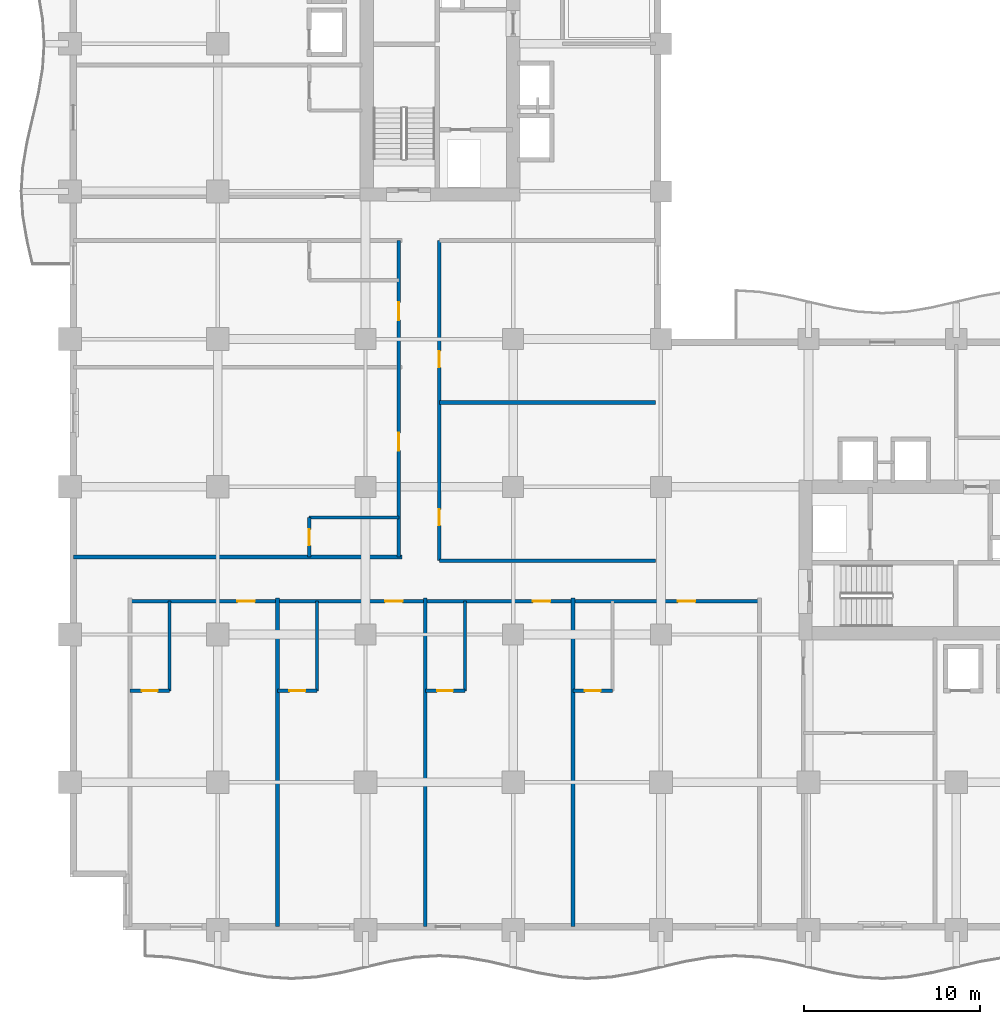
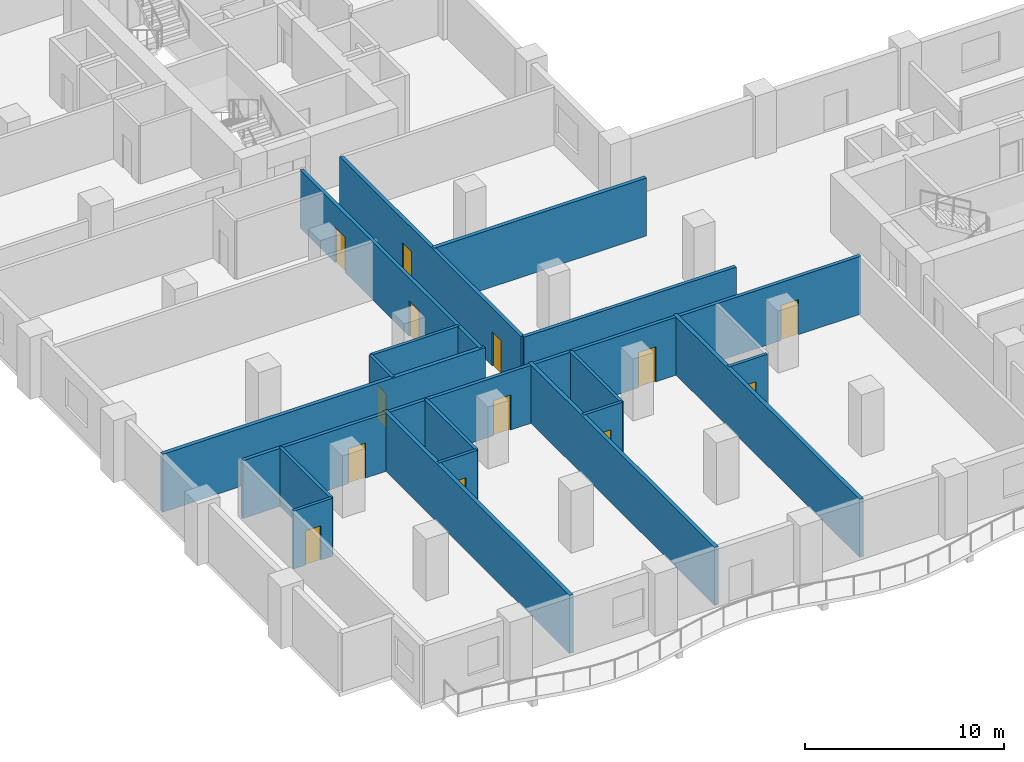
# One storey, part 9 of 24: 18 walls, 13 doors, 13 openings.
"""IFC4 building model written with IfcOpenShell, lengths in metres."""

from ifc_helpers import new_model, si_unit, direction, frame, frame_2d, origin, place, context, subcontext, project, spatial, rectangle, extrude, material, layer, layer_set, type_object, element, fill, save


model = new_model("IFC4")

# Units and contexts
model_context = context("Model", 3, precision=1e-05, world=origin(), true_north=direction((0.0, 1.0)))
body_context = subcontext(model_context, "Body", "Model", "MODEL_VIEW")
ifc_project = project(units=[si_unit("LENGTHUNIT", "METRE"), si_unit("AREAUNIT", "SQUARE_METRE"), si_unit("VOLUMEUNIT", "CUBIC_METRE"), si_unit("PLANEANGLEUNIT", "RADIAN"), si_unit("MASSUNIT", "GRAM", prefix="KILO")], contexts=[model_context])

# Site, building, storey
site_placement = place(None, origin())
site = spatial("IfcSite", under=ifc_project, at=site_placement, CompositionType="ELEMENT")
building_placement = place(site_placement, origin())
building = spatial("IfcBuilding", under=site, at=building_placement, Name="Koriwani Terraces Tower", CompositionType="ELEMENT")
storey_placement = place(building_placement, frame((0.0, 0.0, 103.800048828125)))
storey = spatial("IfcBuildingStorey", under=building, at=storey_placement, Name="L24", CompositionType="ELEMENT", Elevation=103.800048828125)

# Wall, openings, doors
ifc_material_1 = material(Name="Autoclaved Cellular Concrete Blockwork", Category="masonry")
ifc_layer_1 = layer(ifc_material_1, 0.199951171875, Name="Autoclaved Cellular Concrete Blockwork")
ifc_layer_set_1 = layer_set([ifc_layer_1], Name="Autoclaved Cellular Concrete Blockwork")
wall_type_1 = type_object("IfcWallType", Name="WALL_CORRIDOR_200", PredefinedType="PARTITIONING", material=ifc_layer_set_1)
wall_1_placement = place(storey_placement, frame((21.0, 21.0, 0.0), z_axis=(0.0, 0.0, 1.0), x_axis=(0.0, 1.0, 0.0)))
wall_1 = element("IfcWall", 1, at=wall_1_placement, inside=storey, type_object=wall_type_1, Name="L24 Interior Wall WIC2-W-L24", PredefinedType="PARTITIONING", context=body_context, shape_type="SweptSolid", body=[
    extrude(rectangle(XDim=18.199951171875, YDim=0.199951171875, at=frame_2d((9.10009765625, 0.0))), origin(), (0.0, 0.0, 1.0), 3.550048828125),
])
opening_1_placement = place(wall_1_placement, frame((2.0, 0.0, 0.0)))
opening_1 = element("IfcOpeningElement", 2, at=opening_1_placement, cuts=wall_1, Name="Opening D-06", PredefinedType="OPENING", context=body_context, shape_type="SweptSolid", body=[
    extrude(rectangle(XDim=0.919921875, YDim=2.10009765625, at=frame_2d((0.4599609375, 1.050048828125))), frame((0.0, 0.10986328125, 0.0), z_axis=(0.0, -1.0, 0.0), x_axis=(1.0, 0.0, 0.0)), (0.0, 0.0, 1.0), 0.219970703125),
])
opening_2_placement = place(wall_1_placement, frame((11.0, 0.0, 0.0)))
opening_2 = element("IfcOpeningElement", 3, at=opening_2_placement, cuts=wall_1, Name="Opening D-06", PredefinedType="OPENING", context=body_context, shape_type="SweptSolid", body=[
    extrude(rectangle(XDim=0.919921875, YDim=2.10009765625, at=frame_2d((0.4599609375, 1.050048828125))), frame((0.0, 0.10986328125, 0.0), z_axis=(0.0, -1.0, 0.0), x_axis=(1.0, 0.0, 0.0)), (0.0, 0.0, 1.0), 0.219970703125),
])
ifc_material_2 = material(Name="Architectural Oak Fire Door", Category="wood")
door_type_1 = type_object("IfcDoorType", Name="DOOR_ROOM_INT_920X2100", OperationType="NOTDEFINED", PredefinedType="DOOR", material=ifc_material_2)
door_1_placement = place(opening_1_placement, origin())
door_1 = element("IfcDoor", 4, at=door_1_placement, inside=storey, type_object=door_type_1, Name="L24 Inner Court Salon Door", OperationType="SINGLE_SWING_RIGHT", OverallHeight=2.10009765625, OverallWidth=0.919921875, PredefinedType="DOOR", context=body_context, shape_type="SweptSolid", body=[
    extrude(rectangle(XDim=0.919921875, YDim=2.10009765625, at=frame_2d((0.4599609375, 1.050048828125))), frame((0.0, 0.02490234375, 0.0), z_axis=(0.0, -1.0, 0.0), x_axis=(1.0, 0.0, 0.0)), (0.0, 0.0, 1.0), 0.050048828125),
])
fill(opening_1, door_1)
door_2_placement = place(opening_2_placement, origin())
door_2 = element("IfcDoor", 5, at=door_2_placement, inside=storey, type_object=door_type_1, Name="L24 Inner Court Media Room Door", OperationType="SINGLE_SWING_LEFT", OverallHeight=2.10009765625, OverallWidth=0.919921875, PredefinedType="DOOR", context=body_context, shape_type="SweptSolid", body=[
    extrude(rectangle(XDim=0.919921875, YDim=2.10009765625, at=frame_2d((0.4599609375, 1.050048828125))), frame((0.0, 0.02490234375, 0.0), z_axis=(0.0, -1.0, 0.0), x_axis=(1.0, 0.0, 0.0)), (0.0, 0.0, 1.0), 0.050048828125),
])
fill(opening_2, door_2)

# Wall
wall_2_placement = place(storey_placement, frame((21.0, 21.0, 0.0), z_axis=(0.0, 0.0, 1.0), x_axis=(1.0, 0.0, 0.0)))
element("IfcWall", 6, at=wall_2_placement, inside=storey, type_object=wall_type_1, Name="L24 Interior Wall WIC2-S-L24", PredefinedType="PARTITIONING", context=body_context, shape_type="SweptSolid", body=[
    extrude(rectangle(XDim=12.300048828125, YDim=0.199951171875, at=frame_2d((6.14990234375, 0.0))), origin(), (0.0, 0.0, 1.0), 3.550048828125),
])

# Wall, openings, doors
wall_3_placement = place(storey_placement, frame((3.39990234375, 18.699951171875, 0.0), z_axis=(0.0, 0.0, 1.0), x_axis=(1.0, 0.0, 0.0)))
wall_3 = element("IfcWall", 7, at=wall_3_placement, inside=storey, type_object=wall_type_1, Name="L24 Interior Wall WCOR-L24-SW-0", PredefinedType="PARTITIONING", context=body_context, shape_type="SweptSolid", body=[
    extrude(rectangle(XDim=35.800048828125, YDim=0.199951171875, at=frame_2d((17.89990234375, 0.0))), origin(), (0.0, 0.0, 1.0), 3.550048828125),
])
opening_3_placement = place(wall_3_placement, frame((6.114990234375, 0.0, 0.0)))
opening_3 = element("IfcOpeningElement", 8, at=opening_3_placement, cuts=wall_3, Name="Opening D-05", PredefinedType="OPENING", context=body_context, shape_type="SweptSolid", body=[
    extrude(rectangle(XDim=1.0, YDim=2.14990234375, at=frame_2d((0.5, 1.074951171875))), frame((0.0, 0.10986328125, 0.0), z_axis=(0.0, -1.0, 0.0), x_axis=(1.0, 0.0, 0.0)), (0.0, 0.0, 1.0), 0.219970703125),
])
opening_4_placement = place(wall_3_placement, frame((14.514892578125, 0.0, 0.0)))
opening_4 = element("IfcOpeningElement", 9, at=opening_4_placement, cuts=wall_3, Name="Opening D-05", PredefinedType="OPENING", context=body_context, shape_type="SweptSolid", body=[
    extrude(rectangle(XDim=1.0, YDim=2.14990234375, at=frame_2d((0.5, 1.074951171875))), frame((0.0, 0.10986328125, 0.0), z_axis=(0.0, -1.0, 0.0), x_axis=(1.0, 0.0, 0.0)), (0.0, 0.0, 1.0), 0.219970703125),
])
opening_5_placement = place(wall_3_placement, frame((22.9150390625, 0.0, 0.0)))
opening_5 = element("IfcOpeningElement", 10, at=opening_5_placement, cuts=wall_3, Name="Opening D-05", PredefinedType="OPENING", context=body_context, shape_type="SweptSolid", body=[
    extrude(rectangle(XDim=1.0, YDim=2.14990234375, at=frame_2d((0.5, 1.074951171875))), frame((0.0, 0.10986328125, 0.0), z_axis=(0.0, -1.0, 0.0), x_axis=(1.0, 0.0, 0.0)), (0.0, 0.0, 1.0), 0.219970703125),
])
opening_6_placement = place(wall_3_placement, frame((31.1650390625, 0.0, 0.0)))
opening_6 = element("IfcOpeningElement", 11, at=opening_6_placement, cuts=wall_3, Name="Opening D-05", PredefinedType="OPENING", context=body_context, shape_type="SweptSolid", body=[
    extrude(rectangle(XDim=1.0, YDim=2.14990234375, at=frame_2d((0.5, 1.074951171875))), frame((0.0, 0.10986328125, 0.0), z_axis=(0.0, -1.0, 0.0), x_axis=(1.0, 0.0, 0.0)), (0.0, 0.0, 1.0), 0.219970703125),
])
door_type_2 = type_object("IfcDoorType", Name="DOOR_SUITE_ENTRY_1000X2150", OperationType="NOTDEFINED", PredefinedType="DOOR", material=ifc_material_2)
door_3_placement = place(opening_3_placement, origin())
door_3 = element("IfcDoor", 12, at=door_3_placement, inside=storey, type_object=door_type_2, Name="Luxury Hotel Suite 24SW1 Entrance Door", OperationType="SINGLE_SWING_RIGHT", OverallHeight=2.14990234375, OverallWidth=1.0, PredefinedType="DOOR", context=body_context, shape_type="SweptSolid", body=[
    extrude(rectangle(XDim=1.0, YDim=2.14990234375, at=frame_2d((0.5, 1.074951171875))), frame((0.0, 0.02490234375, 0.0), z_axis=(0.0, -1.0, 0.0), x_axis=(1.0, 0.0, 0.0)), (0.0, 0.0, 1.0), 0.050048828125),
])
fill(opening_3, door_3)
door_4_placement = place(opening_4_placement, origin())
door_4 = element("IfcDoor", 13, at=door_4_placement, inside=storey, type_object=door_type_2, Name="Luxury Hotel Suite 24SW2 Entrance Door", OperationType="SINGLE_SWING_RIGHT", OverallHeight=2.14990234375, OverallWidth=1.0, PredefinedType="DOOR", context=body_context, shape_type="SweptSolid", body=[
    extrude(rectangle(XDim=1.0, YDim=2.14990234375, at=frame_2d((0.5, 1.074951171875))), frame((0.0, 0.02490234375, 0.0), z_axis=(0.0, -1.0, 0.0), x_axis=(1.0, 0.0, 0.0)), (0.0, 0.0, 1.0), 0.050048828125),
])
fill(opening_4, door_4)
door_5_placement = place(opening_5_placement, origin())
door_5 = element("IfcDoor", 14, at=door_5_placement, inside=storey, type_object=door_type_2, Name="Luxury Hotel Suite 24SW3 Entrance Door", OperationType="SINGLE_SWING_RIGHT", OverallHeight=2.14990234375, OverallWidth=1.0, PredefinedType="DOOR", context=body_context, shape_type="SweptSolid", body=[
    extrude(rectangle(XDim=1.0, YDim=2.14990234375, at=frame_2d((0.5, 1.074951171875))), frame((0.0, 0.02490234375, 0.0), z_axis=(0.0, -1.0, 0.0), x_axis=(1.0, 0.0, 0.0)), (0.0, 0.0, 1.0), 0.050048828125),
])
fill(opening_5, door_5)
door_6_placement = place(opening_6_placement, origin())
door_6 = element("IfcDoor", 15, at=door_6_placement, inside=storey, type_object=door_type_2, Name="Luxury Hotel Suite 24SW4 Entrance Door", OperationType="SINGLE_SWING_RIGHT", OverallHeight=2.14990234375, OverallWidth=1.0, PredefinedType="DOOR", context=body_context, shape_type="SweptSolid", body=[
    extrude(rectangle(XDim=1.0, YDim=2.14990234375, at=frame_2d((0.5, 1.074951171875))), frame((0.0, 0.02490234375, 0.0), z_axis=(0.0, -1.0, 0.0), x_axis=(1.0, 0.0, 0.0)), (0.0, 0.0, 1.0), 0.050048828125),
])
fill(opening_6, door_6)

wall_4_placement = place(storey_placement, frame((18.699951171875, 21.199951171875, 0.0), z_axis=(0.0, 0.0, 1.0), x_axis=(0.0, 1.0, 0.0)))
wall_4 = element("IfcWall", 16, at=wall_4_placement, inside=storey, type_object=wall_type_1, Name="L24 Interior Wall WCOR-L24-NW-0", PredefinedType="PARTITIONING", context=body_context, shape_type="SweptSolid", body=[
    extrude(rectangle(XDim=18.0, YDim=0.199951171875, at=frame_2d((9.0, 0.0))), origin(), (0.0, 0.0, 1.0), 3.550048828125),
])
opening_7_placement = place(wall_4_placement, frame((6.06494140625, 0.0, 0.0)))
opening_7 = element("IfcOpeningElement", 17, at=opening_7_placement, cuts=wall_4, Name="Opening D-05", PredefinedType="OPENING", context=body_context, shape_type="SweptSolid", body=[
    extrude(rectangle(XDim=1.0, YDim=2.14990234375, at=frame_2d((0.5, 1.074951171875))), frame((0.0, 0.10986328125, 0.0), z_axis=(0.0, -1.0, 0.0), x_axis=(1.0, 0.0, 0.0)), (0.0, 0.0, 1.0), 0.219970703125),
])
opening_8_placement = place(wall_4_placement, frame((13.485107421875, 0.0, 0.0)))
opening_8 = element("IfcOpeningElement", 18, at=opening_8_placement, cuts=wall_4, Name="Opening D-05", PredefinedType="OPENING", context=body_context, shape_type="SweptSolid", body=[
    extrude(rectangle(XDim=1.0, YDim=2.14990234375, at=frame_2d((0.5, 1.074951171875))), frame((0.0, 0.10986328125, 0.0), z_axis=(0.0, -1.0, 0.0), x_axis=(1.0, 0.0, 0.0)), (0.0, 0.0, 1.0), 0.219970703125),
])
door_7_placement = place(opening_7_placement, origin())
door_7 = element("IfcDoor", 19, at=door_7_placement, inside=storey, type_object=door_type_2, Name="Luxury Hotel Suite 24NW1 Entrance Door", OperationType="SINGLE_SWING_RIGHT", OverallHeight=2.14990234375, OverallWidth=1.0, PredefinedType="DOOR", context=body_context, shape_type="SweptSolid", body=[
    extrude(rectangle(XDim=1.0, YDim=2.14990234375, at=frame_2d((0.5, 1.074951171875))), frame((0.0, 0.02490234375, 0.0), z_axis=(0.0, -1.0, 0.0), x_axis=(1.0, 0.0, 0.0)), (0.0, 0.0, 1.0), 0.050048828125),
])
fill(opening_7, door_7)
door_8_placement = place(opening_8_placement, origin())
door_8 = element("IfcDoor", 20, at=door_8_placement, inside=storey, type_object=door_type_2, Name="Luxury Hotel Suite 24NW2 Entrance Door", OperationType="SINGLE_SWING_RIGHT", OverallHeight=2.14990234375, OverallWidth=1.0, PredefinedType="DOOR", context=body_context, shape_type="SweptSolid", body=[
    extrude(rectangle(XDim=1.0, YDim=2.14990234375, at=frame_2d((0.5, 1.074951171875))), frame((0.0, 0.02490234375, 0.0), z_axis=(0.0, -1.0, 0.0), x_axis=(1.0, 0.0, 0.0)), (0.0, 0.0, 1.0), 0.050048828125),
])
fill(opening_8, door_8)

# Walls
ifc_layer_2 = layer(ifc_material_1, 0.219970703125, Name="Autoclaved Cellular Concrete Blockwork")
ifc_layer_set_2 = layer_set([ifc_layer_2], Name="Autoclaved Cellular Concrete Blockwork")
wall_type_2 = type_object("IfcWallType", Name="WALL_DEMISING_220", PredefinedType="PARTITIONING", material=ifc_layer_set_2)
wall_5_placement = place(storey_placement, frame((21.0, 30.0, 0.0), z_axis=(0.0, 0.0, 1.0), x_axis=(1.0, 0.0, 0.0)))
element("IfcWall", 21, at=wall_5_placement, inside=storey, type_object=wall_type_2, Name="L24 Interior Wall WIC2-M-L24", PredefinedType="PARTITIONING", context=body_context, shape_type="SweptSolid", body=[
    extrude(rectangle(XDim=12.300048828125, YDim=0.219970703125, at=frame_2d((6.14990234375, 0.0))), origin(), (0.0, 0.0, 1.0), 3.550048828125),
])
for number, where, z_axis, x_axis, name in (
    (22, (11.800048828125, 0.199951171875, 0.0), (0.0, 0.0, 1.0), (0.0, 1.0, 0.0), "L24 Interior Wall WDEM-L24-SW-1"),
    (23, (20.199951171875, 0.199951171875, 0.0), (0.0, 0.0, 1.0), (0.0, 1.0, 0.0), "L24 Interior Wall WDEM-L24-SW-2"),
    (24, (28.60009765625, 0.199951171875, 0.0), (0.0, 0.0, 1.0), (0.0, 1.0, 0.0), "L24 Interior Wall WDEM-L24-SW-3"),
    (25, (0.199951171875, 21.199951171875, 0.0), (0.0, 0.0, 1.0), (1.0, 0.0, 0.0), "L24 Interior Wall WDEM-L24-NW-0"),
):
    element("IfcWall", number, at=place(storey_placement, frame(where, z_axis=z_axis, x_axis=x_axis)), inside=storey, type_object=wall_type_2, Name=name, PredefinedType="PARTITIONING", context=body_context, shape_type="SweptSolid", body=[
        extrude(rectangle(XDim=18.679931640625, YDim=0.219970703125, at=frame_2d((9.33984375, 0.0))), origin(), (0.0, 0.0, 1.0), 3.550048828125),
    ])

# Wall, opening, door
ifc_material_3 = material(Name="Fire-Rated Acoustic Gypsum Partition", Category="masonry")
ifc_layer_3 = layer(ifc_material_3, 0.179931640625, Name="Fire-Rated Acoustic Gypsum Partition")
ifc_layer_set_3 = layer_set([ifc_layer_3], Name="Fire-Rated Acoustic Gypsum Partition")
wall_type_3 = type_object("IfcWallType", Name="WALL_PLUMBING_180", PredefinedType="PLUMBINGWALL", material=ifc_layer_set_3)
wall_6_placement = place(storey_placement, frame((3.39990234375, 13.60009765625, 0.0), z_axis=(0.0, 0.0, 1.0), x_axis=(1.0, 0.0, 0.0)))
wall_6 = element("IfcWall", 26, at=wall_6_placement, inside=storey, type_object=wall_type_3, Name="L24 Interior Wall WBTH1-L24-SW-0", PredefinedType="PLUMBINGWALL", context=body_context, shape_type="SweptSolid", body=[
    extrude(rectangle(XDim=2.25, YDim=0.179931640625, at=frame_2d((1.125, 0.0))), origin(), (0.0, 0.0, 1.0), 3.550048828125),
])
opening_9_placement = place(wall_6_placement, frame((0.675048828125, 0.0, 0.0)))
opening_9 = element("IfcOpeningElement", 27, at=opening_9_placement, cuts=wall_6, Name="Opening D-07", PredefinedType="OPENING", context=body_context, shape_type="SweptSolid", body=[
    extrude(rectangle(XDim=0.89990234375, YDim=2.10009765625, at=frame_2d((0.449951171875, 1.050048828125))), frame((0.0, 0.10009765625, 0.0), z_axis=(0.0, -1.0, 0.0), x_axis=(1.0, 0.0, 0.0)), (0.0, 0.0, 1.0), 0.199951171875),
])
door_type_3 = type_object("IfcDoorType", Name="DOOR_BATH_INT_900X2100", OperationType="NOTDEFINED", PredefinedType="DOOR", material=ifc_material_2)
door_9_placement = place(opening_9_placement, origin())
door_9 = element("IfcDoor", 28, at=door_9_placement, inside=storey, type_object=door_type_3, Name="En-Suite Bathroom 24SW1 Door", OperationType="SINGLE_SWING_LEFT", OverallHeight=2.10009765625, OverallWidth=0.89990234375, PredefinedType="DOOR", context=body_context, shape_type="SweptSolid", body=[
    extrude(rectangle(XDim=0.89990234375, YDim=2.10009765625, at=frame_2d((0.449951171875, 1.050048828125))), frame((0.0, 0.02490234375, 0.0), z_axis=(0.0, -1.0, 0.0), x_axis=(1.0, 0.0, 0.0)), (0.0, 0.0, 1.0), 0.050048828125),
])
fill(opening_9, door_9)

# Wall
wall_7_placement = place(storey_placement, frame((5.64990234375, 13.60009765625, 0.0), z_axis=(0.0, 0.0, 1.0), x_axis=(0.0, 1.0, 0.0)))
element("IfcWall", 29, at=wall_7_placement, inside=storey, type_object=wall_type_3, Name="L24 Interior Wall WBTH2-L24-SW-0", PredefinedType="PLUMBINGWALL", context=body_context, shape_type="SweptSolid", body=[
    extrude(rectangle(XDim=5.099853515625, YDim=0.179931640625, at=frame_2d((2.5498046875, 0.0))), origin(), (0.0, 0.0, 1.0), 3.550048828125),
])

# Wall, opening, door
wall_8_placement = place(storey_placement, frame((11.800048828125, 13.60009765625, 0.0), z_axis=(0.0, 0.0, 1.0), x_axis=(1.0, 0.0, 0.0)))
wall_8 = element("IfcWall", 30, at=wall_8_placement, inside=storey, type_object=wall_type_3, Name="L24 Interior Wall WBTH1-L24-SW-1", PredefinedType="PLUMBINGWALL", context=body_context, shape_type="SweptSolid", body=[
    extrude(rectangle(XDim=2.25, YDim=0.179931640625, at=frame_2d((1.125, 0.0))), origin(), (0.0, 0.0, 1.0), 3.550048828125),
])
opening_10_placement = place(wall_8_placement, frame((0.675048828125, 0.0, 0.0)))
opening_10 = element("IfcOpeningElement", 31, at=opening_10_placement, cuts=wall_8, Name="Opening D-07", PredefinedType="OPENING", context=body_context, shape_type="SweptSolid", body=[
    extrude(rectangle(XDim=0.89990234375, YDim=2.10009765625, at=frame_2d((0.449951171875, 1.050048828125))), frame((0.0, 0.10009765625, 0.0), z_axis=(0.0, -1.0, 0.0), x_axis=(1.0, 0.0, 0.0)), (0.0, 0.0, 1.0), 0.199951171875),
])
door_10_placement = place(opening_10_placement, origin())
door_10 = element("IfcDoor", 32, at=door_10_placement, inside=storey, type_object=door_type_3, Name="En-Suite Bathroom 24SW2 Door", OperationType="SINGLE_SWING_LEFT", OverallHeight=2.10009765625, OverallWidth=0.89990234375, PredefinedType="DOOR", context=body_context, shape_type="SweptSolid", body=[
    extrude(rectangle(XDim=0.89990234375, YDim=2.10009765625, at=frame_2d((0.449951171875, 1.050048828125))), frame((0.0, 0.02490234375, 0.0), z_axis=(0.0, -1.0, 0.0), x_axis=(1.0, 0.0, 0.0)), (0.0, 0.0, 1.0), 0.050048828125),
])
fill(opening_10, door_10)

# Wall
wall_9_placement = place(storey_placement, frame((14.050048828125, 13.60009765625, 0.0), z_axis=(0.0, 0.0, 1.0), x_axis=(0.0, 1.0, 0.0)))
element("IfcWall", 33, at=wall_9_placement, inside=storey, type_object=wall_type_3, Name="L24 Interior Wall WBTH2-L24-SW-1", PredefinedType="PLUMBINGWALL", context=body_context, shape_type="SweptSolid", body=[
    extrude(rectangle(XDim=5.099853515625, YDim=0.179931640625, at=frame_2d((2.5498046875, 0.0))), origin(), (0.0, 0.0, 1.0), 3.550048828125),
])

# Wall, opening, door
wall_10_placement = place(storey_placement, frame((20.199951171875, 13.60009765625, 0.0), z_axis=(0.0, 0.0, 1.0), x_axis=(1.0, 0.0, 0.0)))
wall_10 = element("IfcWall", 34, at=wall_10_placement, inside=storey, type_object=wall_type_3, Name="L24 Interior Wall WBTH1-L24-SW-2", PredefinedType="PLUMBINGWALL", context=body_context, shape_type="SweptSolid", body=[
    extrude(rectangle(XDim=2.25, YDim=0.179931640625, at=frame_2d((1.125, 0.0))), origin(), (0.0, 0.0, 1.0), 3.550048828125),
])
opening_11_placement = place(wall_10_placement, frame((0.675048828125, 0.0, 0.0)))
opening_11 = element("IfcOpeningElement", 35, at=opening_11_placement, cuts=wall_10, Name="Opening D-07", PredefinedType="OPENING", context=body_context, shape_type="SweptSolid", body=[
    extrude(rectangle(XDim=0.89990234375, YDim=2.10009765625, at=frame_2d((0.449951171875, 1.050048828125))), frame((0.0, 0.10009765625, 0.0), z_axis=(0.0, -1.0, 0.0), x_axis=(1.0, 0.0, 0.0)), (0.0, 0.0, 1.0), 0.199951171875),
])
door_11_placement = place(opening_11_placement, origin())
door_11 = element("IfcDoor", 36, at=door_11_placement, inside=storey, type_object=door_type_3, Name="En-Suite Bathroom 24SW3 Door", OperationType="SINGLE_SWING_LEFT", OverallHeight=2.10009765625, OverallWidth=0.89990234375, PredefinedType="DOOR", context=body_context, shape_type="SweptSolid", body=[
    extrude(rectangle(XDim=0.89990234375, YDim=2.10009765625, at=frame_2d((0.449951171875, 1.050048828125))), frame((0.0, 0.02490234375, 0.0), z_axis=(0.0, -1.0, 0.0), x_axis=(1.0, 0.0, 0.0)), (0.0, 0.0, 1.0), 0.050048828125),
])
fill(opening_11, door_11)

# Wall
wall_11_placement = place(storey_placement, frame((22.449951171875, 13.60009765625, 0.0), z_axis=(0.0, 0.0, 1.0), x_axis=(0.0, 1.0, 0.0)))
element("IfcWall", 37, at=wall_11_placement, inside=storey, type_object=wall_type_3, Name="L24 Interior Wall WBTH2-L24-SW-2", PredefinedType="PLUMBINGWALL", context=body_context, shape_type="SweptSolid", body=[
    extrude(rectangle(XDim=5.099853515625, YDim=0.179931640625, at=frame_2d((2.5498046875, 0.0))), origin(), (0.0, 0.0, 1.0), 3.550048828125),
])

# Wall, opening, door
wall_12_placement = place(storey_placement, frame((28.60009765625, 13.60009765625, 0.0), z_axis=(0.0, 0.0, 1.0), x_axis=(1.0, 0.0, 0.0)))
wall_12 = element("IfcWall", 38, at=wall_12_placement, inside=storey, type_object=wall_type_3, Name="L24 Interior Wall WBTH1-L24-SW-3", PredefinedType="PLUMBINGWALL", context=body_context, shape_type="SweptSolid", body=[
    extrude(rectangle(XDim=2.25, YDim=0.179931640625, at=frame_2d((1.125, 0.0))), origin(), (0.0, 0.0, 1.0), 3.550048828125),
])
opening_12_placement = place(wall_12_placement, frame((0.675048828125, 0.0, 0.0)))
opening_12 = element("IfcOpeningElement", 39, at=opening_12_placement, cuts=wall_12, Name="Opening D-07", PredefinedType="OPENING", context=body_context, shape_type="SweptSolid", body=[
    extrude(rectangle(XDim=0.89990234375, YDim=2.10009765625, at=frame_2d((0.449951171875, 1.050048828125))), frame((0.0, 0.10009765625, 0.0), z_axis=(0.0, -1.0, 0.0), x_axis=(1.0, 0.0, 0.0)), (0.0, 0.0, 1.0), 0.199951171875),
])
door_12_placement = place(opening_12_placement, origin())
door_12 = element("IfcDoor", 40, at=door_12_placement, inside=storey, type_object=door_type_3, Name="En-Suite Bathroom 24SW4 Door", OperationType="SINGLE_SWING_LEFT", OverallHeight=2.10009765625, OverallWidth=0.89990234375, PredefinedType="DOOR", context=body_context, shape_type="SweptSolid", body=[
    extrude(rectangle(XDim=0.89990234375, YDim=2.10009765625, at=frame_2d((0.449951171875, 1.050048828125))), frame((0.0, 0.02490234375, 0.0), z_axis=(0.0, -1.0, 0.0), x_axis=(1.0, 0.0, 0.0)), (0.0, 0.0, 1.0), 0.050048828125),
])
fill(opening_12, door_12)

wall_13_placement = place(storey_placement, frame((13.60009765625, 21.199951171875, 0.0), z_axis=(0.0, 0.0, 1.0), x_axis=(0.0, 1.0, 0.0)))
wall_13 = element("IfcWall", 41, at=wall_13_placement, inside=storey, type_object=wall_type_3, Name="L24 Interior Wall WBTH1-L24-NW-0", PredefinedType="PLUMBINGWALL", context=body_context, shape_type="SweptSolid", body=[
    extrude(rectangle(XDim=2.25, YDim=0.179931640625, at=frame_2d((1.125, 0.0))), origin(), (0.0, 0.0, 1.0), 3.550048828125),
])
opening_13_placement = place(wall_13_placement, frame((0.675048828125, 0.0, 0.0)))
opening_13 = element("IfcOpeningElement", 42, at=opening_13_placement, cuts=wall_13, Name="Opening D-07", PredefinedType="OPENING", context=body_context, shape_type="SweptSolid", body=[
    extrude(rectangle(XDim=0.89990234375, YDim=2.10009765625, at=frame_2d((0.449951171875, 1.050048828125))), frame((0.0, 0.10009765625, 0.0), z_axis=(0.0, -1.0, 0.0), x_axis=(1.0, 0.0, 0.0)), (0.0, 0.0, 1.0), 0.199951171875),
])
door_13_placement = place(opening_13_placement, origin())
door_13 = element("IfcDoor", 43, at=door_13_placement, inside=storey, type_object=door_type_3, Name="En-Suite Bathroom 24NW1 Door", OperationType="SINGLE_SWING_LEFT", OverallHeight=2.10009765625, OverallWidth=0.89990234375, PredefinedType="DOOR", context=body_context, shape_type="SweptSolid", body=[
    extrude(rectangle(XDim=0.89990234375, YDim=2.10009765625, at=frame_2d((0.449951171875, 1.050048828125))), frame((0.0, 0.02490234375, 0.0), z_axis=(0.0, -1.0, 0.0), x_axis=(1.0, 0.0, 0.0)), (0.0, 0.0, 1.0), 0.050048828125),
])
fill(opening_13, door_13)

# Wall
wall_14_placement = place(storey_placement, frame((13.60009765625, 23.449951171875, 0.0), z_axis=(0.0, 0.0, 1.0), x_axis=(1.0, 0.0, 0.0)))
element("IfcWall", 44, at=wall_14_placement, inside=storey, type_object=wall_type_3, Name="L24 Interior Wall WBTH2-L24-NW-0", PredefinedType="PLUMBINGWALL", context=body_context, shape_type="SweptSolid", body=[
    extrude(rectangle(XDim=5.099853515625, YDim=0.179931640625, at=frame_2d((2.5498046875, 0.0))), origin(), (0.0, 0.0, 1.0), 3.550048828125),
])

save(model, "model.ifc")
